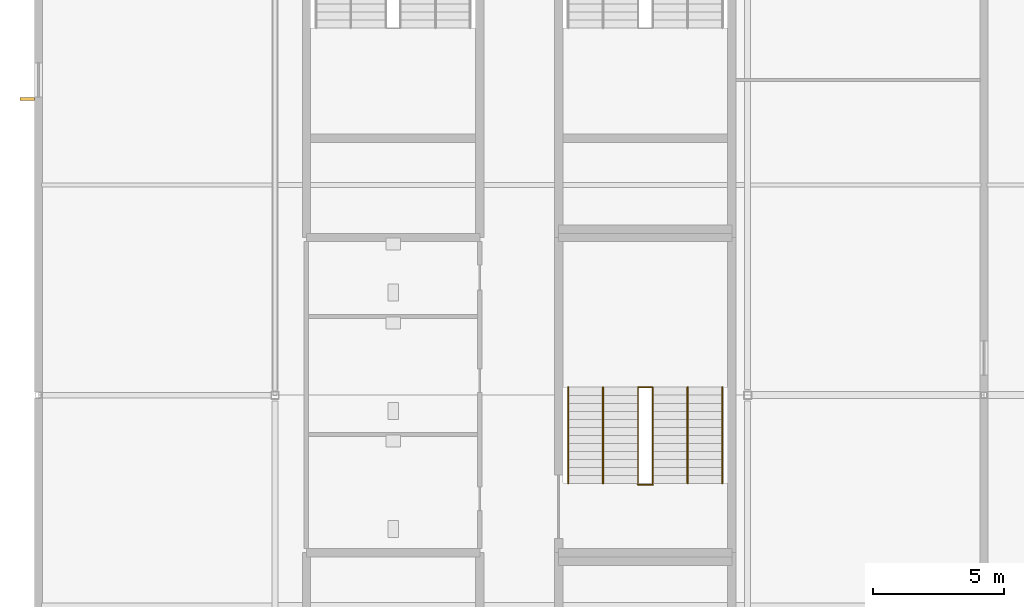
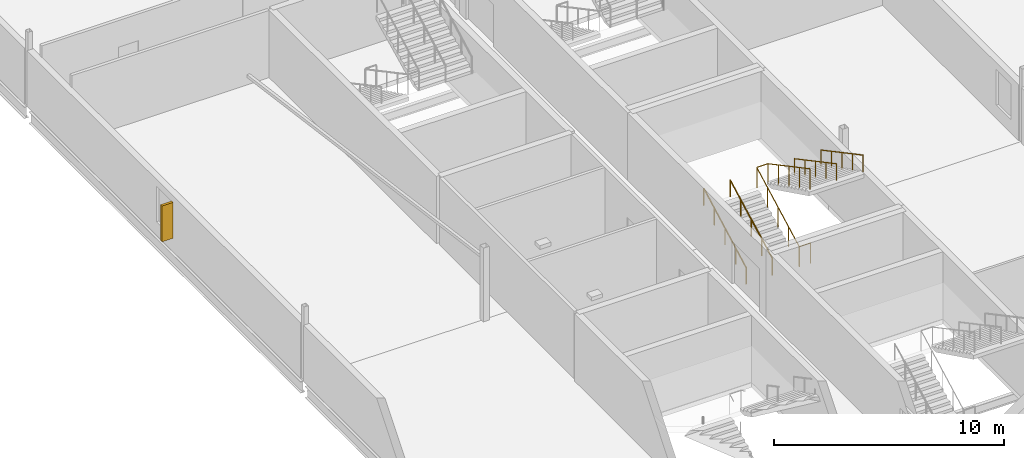
# One storey, part 48 of 55: 6 railings, 1 shading device.
"""IFC4 building model written with IfcOpenShell, lengths in metres."""

from ifc_helpers import new_model, si_unit, direction, frame, origin, origin_2d, place, context, subcontext, project, spatial, rectangle, circle, extrude, material, type_object, element, save


model = new_model("IFC4")

# Units and contexts
model_context = context("Model", 3, precision=1e-05, world=origin(), true_north=direction((0.0, 1.0)))
body_context = subcontext(model_context, "Body", "Model", "MODEL_VIEW")
ifc_project = project(units=[si_unit("LENGTHUNIT", "METRE"), si_unit("AREAUNIT", "SQUARE_METRE"), si_unit("VOLUMEUNIT", "CUBIC_METRE"), si_unit("PLANEANGLEUNIT", "RADIAN"), si_unit("MASSUNIT", "GRAM", prefix="KILO")], contexts=[model_context])

# Site, building, storey
site_placement = place(None, origin())
site = spatial("IfcSite", under=ifc_project, at=site_placement, CompositionType="ELEMENT")
building_placement = place(site_placement, origin())
building = spatial("IfcBuilding", under=site, at=building_placement, Name="Kisiwana Market Hall", CompositionType="ELEMENT")
storey_placement = place(building_placement, frame((0.0, 0.0, 37.800048828125)))
storey = spatial("IfcBuildingStorey", under=building, at=storey_placement, Name="L08", CompositionType="ELEMENT", Elevation=37.800048828125)

# Railings
ifc_material_1 = material(Name="Steel S275", Category="steel")
railing_type_1 = type_object("IfcRailingType", Name="RL-GUARD-1100", PredefinedType="GUARDRAIL", material=ifc_material_1)
railing_1_placement = place(storey_placement, frame((22.820068359375, 56.639892578125, 0.0)))
element("IfcRailing", 1, at=railing_1_placement, inside=storey, type_object=railing_type_1, Name="Stair ST-W5-L08 inner-well guardrail (RL-1195)", PredefinedType="GUARDRAIL", context=body_context, shape_type="SweptSolid", body=[
    extrude(circle(Radius=0.02392578125, at=origin_2d()), frame((0.0, 0.0, 1.076171875), z_axis=(0.0, 0.882566327451, 0.470187917379), x_axis=(-1.0, 0.0, 0.0)), (0.0, 0.0, 1.0), 4.147216796875),
    extrude(circle(Radius=0.02392578125, at=origin_2d()), frame((0.0, 3.66015625, 3.02587890625), z_axis=(1.0, 0.0, 0.0), x_axis=(0.0, 1.0, 0.0)), (0.0, 0.0, 1.0), 0.559814453125),
    extrude(circle(Radius=0.02392578125, at=origin_2d()), frame((0.559814453125, 3.66015625, 3.02587890625), z_axis=(0.0, -0.882566327451, 0.470187917379), x_axis=(1.0, 0.0, 0.0)), (0.0, 0.0, 1.0), 4.147216796875),
    extrude(circle(Radius=0.02099609375, at=origin_2d()), origin(), (0.0, 0.0, 1.0), 1.052001953125),
    extrude(circle(Radius=0.02099609375, at=origin_2d()), frame((0.0, 0.9150390625, 0.487548828125)), (0.0, 0.0, 1.0), 1.052001953125),
    extrude(circle(Radius=0.02099609375, at=origin_2d()), frame((0.0, 1.830078125, 0.97509765625)), (0.0, 0.0, 1.0), 1.052001953125),
    extrude(circle(Radius=0.02099609375, at=origin_2d()), frame((0.0, 2.7451171875, 1.46240234375)), (0.0, 0.0, 1.0), 1.052001953125),
    extrude(circle(Radius=0.02099609375, at=origin_2d()), frame((0.0, 3.66015625, 1.949951171875)), (0.0, 0.0, 1.0), 1.052001953125),
    extrude(circle(Radius=0.02099609375, at=origin_2d()), frame((0.559814453125, 3.66015625, 1.949951171875)), (0.0, 0.0, 1.0), 1.052001953125),
    extrude(circle(Radius=0.02099609375, at=origin_2d()), frame((0.559814453125, 2.7451171875, 2.4375)), (0.0, 0.0, 1.0), 1.052001953125),
    extrude(circle(Radius=0.02099609375, at=origin_2d()), frame((0.559814453125, 1.830078125, 2.9248046875)), (0.0, 0.0, 1.0), 1.052001953125),
    extrude(circle(Radius=0.02099609375, at=origin_2d()), frame((0.559814453125, 0.9150390625, 3.412353515625)), (0.0, 0.0, 1.0), 1.052001953125),
    extrude(circle(Radius=0.02099609375, at=origin_2d()), frame((0.559814453125, 0.0, 3.89990234375)), (0.0, 0.0, 1.0), 1.052001953125),
])
railing_2_placement = place(storey_placement, frame((22.820068359375, 56.590087890625, 0.0)))
element("IfcRailing", 2, at=railing_2_placement, inside=storey, type_object=railing_type_1, Name="Stair ST-W5-L08 landing edge guardrail (RL-1200)", PredefinedType="GUARDRAIL", context=body_context, shape_type="SweptSolid", body=[
    extrude(circle(Radius=0.02392578125, at=origin_2d()), frame((0.0, 0.0, 1.076171875), z_axis=(1.0, 0.0, 0.0), x_axis=(0.0, 1.0, 0.0)), (0.0, 0.0, 1.0), 0.559814453125),
    extrude(circle(Radius=0.02099609375, at=origin_2d()), origin(), (0.0, 0.0, 1.0), 1.052001953125),
    extrude(circle(Radius=0.02099609375, at=origin_2d()), frame((0.559814453125, 0.0, 0.0)), (0.0, 0.0, 1.0), 1.052001953125),
])
ifc_material_2 = material(Name="Steel S275", Category="steel")
railing_type_2 = type_object("IfcRailingType", Name="RL-HAND-900", PredefinedType="HANDRAIL", material=ifc_material_2)
railing_3_placement = place(storey_placement, frame((20.169921875, 56.639892578125, 0.0)))
element("IfcRailing", 3, at=railing_3_placement, inside=storey, type_object=railing_type_2, Name="Stair ST-W5-L08 flight 1 handrail (RL-1196)", PredefinedType="HANDRAIL", context=body_context, shape_type="SweptSolid", body=[
    extrude(circle(Radius=0.02392578125, at=origin_2d()), frame((0.0, 0.0, 0.8759765625), z_axis=(0.0, 0.882566327451, 0.470187917379), x_axis=(-1.0, 0.0, 0.0)), (0.0, 0.0, 1.0), 4.147216796875),
    extrude(circle(Radius=0.02099609375, at=origin_2d()), origin(), (0.0, 0.0, 1.0), 0.851806640625),
    extrude(circle(Radius=0.02099609375, at=origin_2d()), frame((0.0, 0.9150390625, 0.487548828125)), (0.0, 0.0, 1.0), 0.851806640625),
    extrude(circle(Radius=0.02099609375, at=origin_2d()), frame((0.0, 1.830078125, 0.97509765625)), (0.0, 0.0, 1.0), 0.851806640625),
    extrude(circle(Radius=0.02099609375, at=origin_2d()), frame((0.0, 2.7451171875, 1.46240234375)), (0.0, 0.0, 1.0), 0.851806640625),
    extrude(circle(Radius=0.02099609375, at=origin_2d()), frame((0.0, 3.66015625, 1.949951171875)), (0.0, 0.0, 1.0), 0.851806640625),
])
railing_4_placement = place(storey_placement, frame((26.030029296875, 60.300048828125, 1.949951171875)))
element("IfcRailing", 4, at=railing_4_placement, inside=storey, type_object=railing_type_2, Name="Stair ST-W5-L08 flight 2 handrail (RL-1197)", PredefinedType="HANDRAIL", context=body_context, shape_type="SweptSolid", body=[
    extrude(circle(Radius=0.02392578125, at=origin_2d()), frame((0.0, 0.0, 0.8759765625), z_axis=(0.0, -0.882566327451, 0.470187917379), x_axis=(1.0, 0.0, 0.0)), (0.0, 0.0, 1.0), 4.147216796875),
    extrude(circle(Radius=0.02099609375, at=origin_2d()), origin(), (0.0, 0.0, 1.0), 0.851806640625),
    extrude(circle(Radius=0.02099609375, at=origin_2d()), frame((0.0, -0.9150390625, 0.487548828125)), (0.0, 0.0, 1.0), 0.851806640625),
    extrude(circle(Radius=0.02099609375, at=origin_2d()), frame((0.0, -1.830078125, 0.97509765625)), (0.0, 0.0, 1.0), 0.851806640625),
    extrude(circle(Radius=0.02099609375, at=origin_2d()), frame((0.0, -2.7451171875, 1.46240234375)), (0.0, 0.0, 1.0), 0.851806640625),
    extrude(circle(Radius=0.02099609375, at=origin_2d()), frame((0.0, -3.66015625, 1.949951171875)), (0.0, 0.0, 1.0), 0.851806640625),
])
railing_5_placement = place(storey_placement, frame((21.489990234375, 56.639892578125, 0.0)))
element("IfcRailing", 5, at=railing_5_placement, inside=storey, type_object=railing_type_2, Name="Stair ST-W5-L08 flight 1 intermediate handrail (RL-1198)", PredefinedType="HANDRAIL", context=body_context, shape_type="SweptSolid", body=[
    extrude(circle(Radius=0.02392578125, at=origin_2d()), frame((0.0, 0.0, 0.8759765625), z_axis=(0.0, 0.882566327451, 0.470187917379), x_axis=(-1.0, 0.0, 0.0)), (0.0, 0.0, 1.0), 4.147216796875),
    extrude(circle(Radius=0.02099609375, at=origin_2d()), origin(), (0.0, 0.0, 1.0), 0.851806640625),
    extrude(circle(Radius=0.02099609375, at=origin_2d()), frame((0.0, 0.9150390625, 0.487548828125)), (0.0, 0.0, 1.0), 0.851806640625),
    extrude(circle(Radius=0.02099609375, at=origin_2d()), frame((0.0, 1.830078125, 0.97509765625)), (0.0, 0.0, 1.0), 0.851806640625),
    extrude(circle(Radius=0.02099609375, at=origin_2d()), frame((0.0, 2.7451171875, 1.46240234375)), (0.0, 0.0, 1.0), 0.851806640625),
    extrude(circle(Radius=0.02099609375, at=origin_2d()), frame((0.0, 3.66015625, 1.949951171875)), (0.0, 0.0, 1.0), 0.851806640625),
])
railing_6_placement = place(storey_placement, frame((24.7099609375, 60.300048828125, 1.949951171875)))
element("IfcRailing", 6, at=railing_6_placement, inside=storey, type_object=railing_type_2, Name="Stair ST-W5-L08 flight 2 intermediate handrail (RL-1199)", PredefinedType="HANDRAIL", context=body_context, shape_type="SweptSolid", body=[
    extrude(circle(Radius=0.02392578125, at=origin_2d()), frame((0.0, 0.0, 0.8759765625), z_axis=(0.0, -0.882566327451, 0.470187917379), x_axis=(1.0, 0.0, 0.0)), (0.0, 0.0, 1.0), 4.147216796875),
    extrude(circle(Radius=0.02099609375, at=origin_2d()), origin(), (0.0, 0.0, 1.0), 0.851806640625),
    extrude(circle(Radius=0.02099609375, at=origin_2d()), frame((0.0, -0.9150390625, 0.487548828125)), (0.0, 0.0, 1.0), 0.851806640625),
    extrude(circle(Radius=0.02099609375, at=origin_2d()), frame((0.0, -1.830078125, 0.97509765625)), (0.0, 0.0, 1.0), 0.851806640625),
    extrude(circle(Radius=0.02099609375, at=origin_2d()), frame((0.0, -2.7451171875, 1.46240234375)), (0.0, 0.0, 1.0), 0.851806640625),
    extrude(circle(Radius=0.02099609375, at=origin_2d()), frame((0.0, -3.66015625, 1.949951171875)), (0.0, 0.0, 1.0), 0.851806640625),
])

# Shading device
ifc_material_3 = material(Name="Aluminium alloy 6063-T6", Category="aluminium")
shading_device_type = type_object("IfcShadingDeviceType", Name="SHD-SHUTTER-V", PredefinedType="SHUTTER", material=ifc_material_3)
shading_device_placement = place(storey_placement, frame((-0.4326171875, 71.27001953125, 0.699951171875), z_axis=(0.0, 0.0, 1.0), x_axis=(0.0, 1.0, 0.0)))
element("IfcShadingDevice", 7, at=shading_device_placement, inside=storey, type_object=shading_device_type, Name="Vertical solar fin SHD-182 SD-181", PredefinedType="SHUTTER", context=body_context, shape_type="SweptSolid", body=[
    extrude(rectangle(XDim=0.1201171875, YDim=0.550048828125, at=origin_2d()), origin(), (0.0, 0.0, 1.0), 1.89990234375),
])

save(model, "model.ifc")
